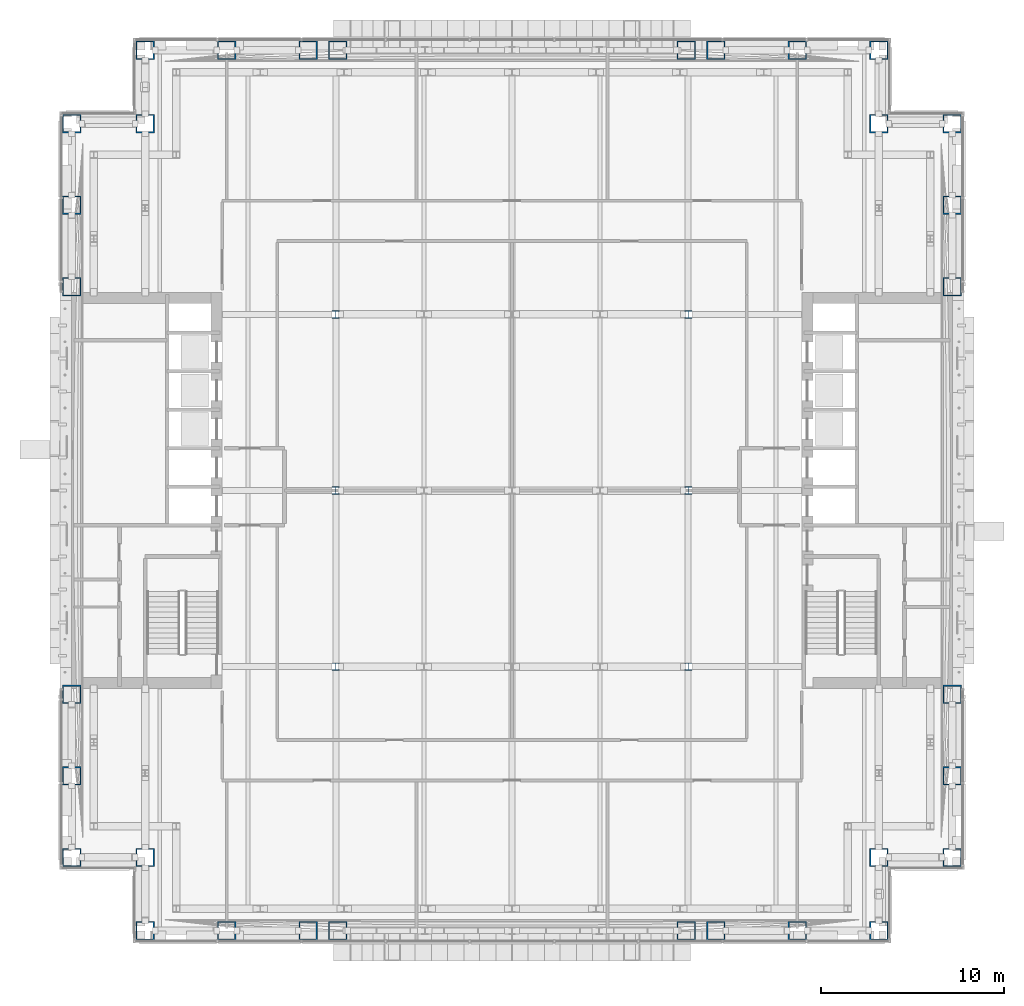
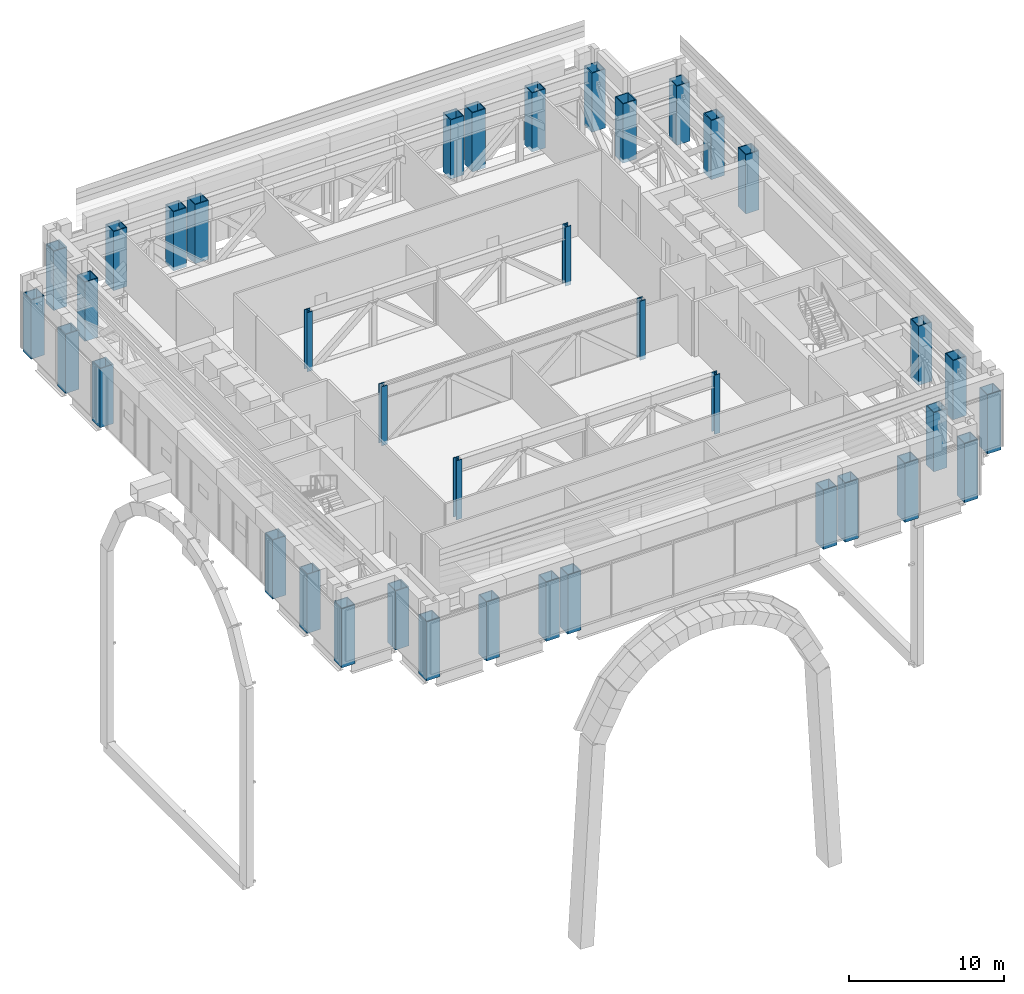
# One storey, part 1 of 39: 38 columns.
"""IFC4 building model written with IfcOpenShell, lengths in metres."""

from ifc_helpers import new_model, si_unit, direction, frame, origin, origin_2d, place, context, subcontext, project, spatial, hollow_rectangle, i_section, extrude, material, material_profile, profile_set, type_object, element, save


model = new_model("IFC4")

# Units and contexts
model_context = context("Model", 3, precision=1e-05, world=origin(), true_north=direction((0.0, 1.0)))
body_context = subcontext(model_context, "Body", "Model", "MODEL_VIEW")
ifc_project = project(units=[si_unit("LENGTHUNIT", "METRE"), si_unit("AREAUNIT", "SQUARE_METRE"), si_unit("VOLUMEUNIT", "CUBIC_METRE"), si_unit("PLANEANGLEUNIT", "RADIAN"), si_unit("MASSUNIT", "GRAM", prefix="KILO")], contexts=[model_context])

# Site, building, storey
site_placement = place(None, origin())
site = spatial("IfcSite", under=ifc_project, at=site_placement, CompositionType="ELEMENT")
building_placement = place(site_placement, origin())
building = spatial("IfcBuilding", under=site, at=building_placement, Name="Cobrizo Arcos Hotel Tower", CompositionType="ELEMENT")
storey_placement = place(building_placement, frame((0.0, 0.0, 84.5)))
storey = spatial("IfcBuildingStorey", under=building, at=storey_placement, Name="L20", CompositionType="ELEMENT", Elevation=84.5)

# Columns
ifc_material_1 = material(Name="Steel ASTM A572 Grade 50", Category="steel")
ifc_material_profile_1 = material_profile(ifc_material_1, hollow_rectangle(XDim=1.0, YDim=1.0, WallThickness=0.06005859375, at=origin_2d()), Name="BOX 1000X1000X60")
ifc_profile_set_1 = profile_set([ifc_material_profile_1], Name="Steel ASTM A572 Grade 50")
column_type_1 = type_object("IfcColumnType", Name="BOX 1000X1000X60 column", PredefinedType="COLUMN", material=ifc_profile_set_1)
for number, where, z_axis, x_axis, name in (
    (1, (-20.0, 24.0, -0.300048828125), (0.0, 0.0, 1.0), (1.0, 0.0, 0.0), "Perimeter column C4, L20, no. 00"),
    (2, (-20.0, -24.0, -0.300048828125), (0.0, 0.0, 1.0), (1.0, 0.0, 0.0), "Perimeter column C4, L20, no. 01"),
    (3, (-15.555908203125, 24.0, -0.300048828125), (0.0, 0.0, 1.0), (1.0, 0.0, 0.0), "Perimeter column C4, L20, no. 02"),
    (4, (-15.555908203125, -24.0, -0.300048828125), (0.0, 0.0, 1.0), (1.0, 0.0, 0.0), "Perimeter column C4, L20, no. 03"),
    (5, (-11.111083984375, 24.0, -0.300048828125), (0.0, 0.0, 1.0), (1.0, 0.0, 0.0), "Perimeter column C4, L20, no. 04"),
    (6, (-11.111083984375, -24.0, -0.300048828125), (0.0, 0.0, 1.0), (1.0, 0.0, 0.0), "Perimeter column C4, L20, no. 05"),
    (7, (11.111083984375, 24.0, -0.300048828125), (0.0, 0.0, 1.0), (1.0, 0.0, 0.0), "Perimeter column C4, L20, no. 06"),
    (8, (11.111083984375, -24.0, -0.300048828125), (0.0, 0.0, 1.0), (1.0, 0.0, 0.0), "Perimeter column C4, L20, no. 07"),
    (9, (15.555908203125, 24.0, -0.300048828125), (0.0, 0.0, 1.0), (1.0, 0.0, 0.0), "Perimeter column C4, L20, no. 08"),
    (10, (15.555908203125, -24.0, -0.300048828125), (0.0, 0.0, 1.0), (1.0, 0.0, 0.0), "Perimeter column C4, L20, no. 09"),
    (11, (20.0, 24.0, -0.300048828125), (0.0, 0.0, 1.0), (1.0, 0.0, 0.0), "Perimeter column C4, L20, no. 10"),
    (12, (20.0, -24.0, -0.300048828125), (0.0, 0.0, 1.0), (1.0, 0.0, 0.0), "Perimeter column C4, L20, no. 11"),
    (13, (24.0, -20.0, -0.300048828125), (0.0, 0.0, 1.0), (1.0, 0.0, 0.0), "Perimeter column C4, L20, no. 12"),
    (14, (-24.0, -20.0, -0.300048828125), (0.0, 0.0, 1.0), (1.0, 0.0, 0.0), "Perimeter column C4, L20, no. 13"),
    (15, (24.0, -15.555908203125, -0.300048828125), (0.0, 0.0, 1.0), (1.0, 0.0, 0.0), "Perimeter column C4, L20, no. 14"),
    (16, (-24.0, -15.555908203125, -0.300048828125), (0.0, 0.0, 1.0), (1.0, 0.0, 0.0), "Perimeter column C4, L20, no. 15"),
    (17, (24.0, -11.111083984375, -0.300048828125), (0.0, 0.0, 1.0), (1.0, 0.0, 0.0), "Perimeter column C4, L20, no. 16"),
    (18, (-24.0, -11.111083984375, -0.300048828125), (0.0, 0.0, 1.0), (1.0, 0.0, 0.0), "Perimeter column C4, L20, no. 17"),
    (19, (24.0, 11.111083984375, -0.300048828125), (0.0, 0.0, 1.0), (1.0, 0.0, 0.0), "Perimeter column C4, L20, no. 18"),
    (20, (-24.0, 11.111083984375, -0.300048828125), (0.0, 0.0, 1.0), (1.0, 0.0, 0.0), "Perimeter column C4, L20, no. 19"),
    (21, (24.0, 15.555908203125, -0.300048828125), (0.0, 0.0, 1.0), (1.0, 0.0, 0.0), "Perimeter column C4, L20, no. 20"),
    (22, (-24.0, 15.555908203125, -0.300048828125), (0.0, 0.0, 1.0), (1.0, 0.0, 0.0), "Perimeter column C4, L20, no. 21"),
    (23, (24.0, 20.0, -0.300048828125), (0.0, 0.0, 1.0), (1.0, 0.0, 0.0), "Perimeter column C4, L20, no. 22"),
    (24, (-24.0, 20.0, -0.300048828125), (0.0, 0.0, 1.0), (1.0, 0.0, 0.0), "Perimeter column C4, L20, no. 23"),
    (25, (-20.0, -20.0, -0.300048828125), (0.0, 0.0, 1.0), (1.0, 0.0, 0.0), "Perimeter column C4, L20, no. 24"),
    (26, (-20.0, 20.0, -0.300048828125), (0.0, 0.0, 1.0), (1.0, 0.0, 0.0), "Perimeter column C4, L20, no. 25"),
    (27, (20.0, -20.0, -0.300048828125), (0.0, 0.0, 1.0), (1.0, 0.0, 0.0), "Perimeter column C4, L20, no. 26"),
    (28, (20.0, 20.0, -0.300048828125), (0.0, 0.0, 1.0), (1.0, 0.0, 0.0), "Perimeter column C4, L20, no. 27"),
    (29, (-9.5, 24.0, -0.300048828125), (0.0, 0.0, 1.0), (1.0, 0.0, 0.0), "Perimeter column C4, L20, no. 28"),
    (30, (-9.5, -24.0, -0.300048828125), (0.0, 0.0, 1.0), (1.0, 0.0, 0.0), "Perimeter column C4, L20, no. 29"),
    (31, (9.5, 24.0, -0.300048828125), (0.0, 0.0, 1.0), (1.0, 0.0, 0.0), "Perimeter column C4, L20, no. 30"),
    (32, (9.5, -24.0, -0.300048828125), (0.0, 0.0, 1.0), (1.0, 0.0, 0.0), "Perimeter column C4, L20, no. 31"),
):
    element("IfcColumn", number, at=place(storey_placement, frame(where, z_axis=z_axis, x_axis=x_axis)), inside=storey, type_object=column_type_1, Name=name, PredefinedType="COLUMN", context=body_context, shape_type="SweptSolid", body=[
        extrude(hollow_rectangle(XDim=1.0, YDim=1.0, WallThickness=0.06005859375, at=origin_2d()), origin(), (0.0, 0.0, 1.0), 4.650146484375),
    ])
ifc_material_2 = material(Name="Steel ASTM A992 Grade 50", Category="steel")
ifc_material_profile_2 = material_profile(ifc_material_2, i_section(OverallWidth=0.408935546875, OverallDepth=0.42431640625, WebThickness=0.03271484375, FlangeThickness=0.052490234375, at=origin_2d()), Name="W14X283")
ifc_profile_set_2 = profile_set([ifc_material_profile_2], Name="Steel ASTM A992 Grade 50")
column_type_2 = type_object("IfcColumnType", Name="W14X283 interior column", PredefinedType="COLUMN", material=ifc_profile_set_2)
for number, where, z_axis, x_axis, name in (
    (33, (-9.60009765625, -9.60009765625, -0.300048828125), (0.0, 0.0, 1.0), (1.0, 0.0, 0.0), "Interior column C5, L20, no. 00"),
    (34, (-9.60009765625, 0.0, -0.300048828125), (0.0, 0.0, 1.0), (1.0, 0.0, 0.0), "Interior column C5, L20, no. 01"),
    (35, (-9.60009765625, 9.60009765625, -0.300048828125), (0.0, 0.0, 1.0), (1.0, 0.0, 0.0), "Interior column C5, L20, no. 02"),
    (36, (9.60009765625, -9.60009765625, -0.300048828125), (0.0, 0.0, 1.0), (1.0, 0.0, 0.0), "Interior column C5, L20, no. 03"),
    (37, (9.60009765625, 0.0, -0.300048828125), (0.0, 0.0, 1.0), (1.0, 0.0, 0.0), "Interior column C5, L20, no. 04"),
    (38, (9.60009765625, 9.60009765625, -0.300048828125), (0.0, 0.0, 1.0), (1.0, 0.0, 0.0), "Interior column C5, L20, no. 05"),
):
    element("IfcColumn", number, at=place(storey_placement, frame(where, z_axis=z_axis, x_axis=x_axis)), inside=storey, type_object=column_type_2, Name=name, PredefinedType="COLUMN", context=body_context, shape_type="SweptSolid", body=[
        extrude(i_section(OverallWidth=0.408935546875, OverallDepth=0.42431640625, WebThickness=0.03271484375, FlangeThickness=0.052490234375, at=origin_2d()), origin(), (0.0, 0.0, 1.0), 4.650146484375),
    ])

save(model, "model.ifc")
